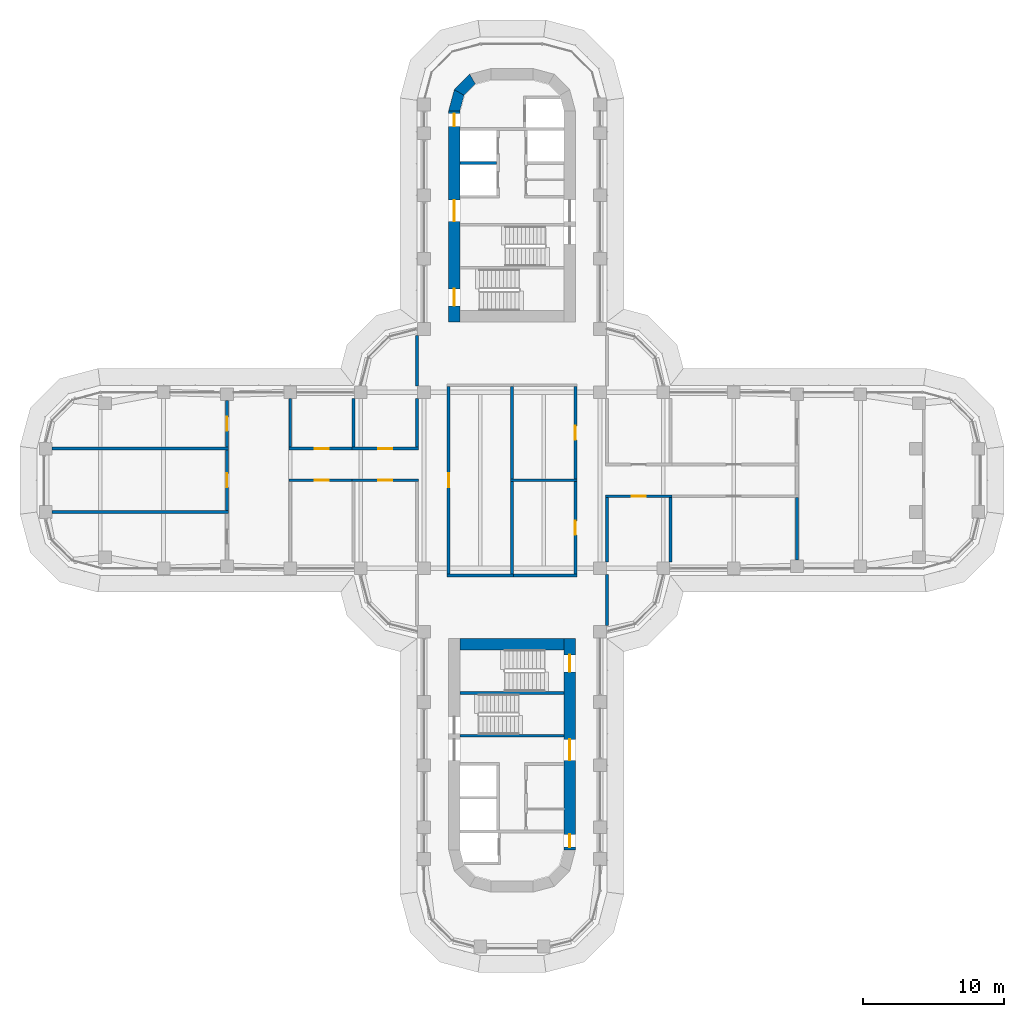
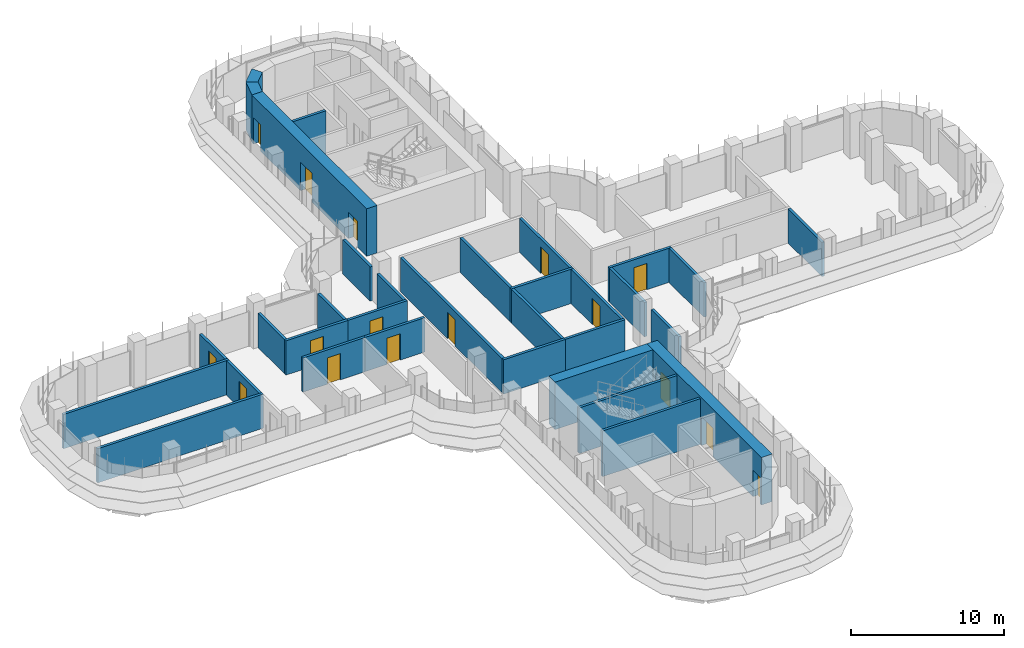
# One storey, part 16 of 22: 33 walls, 16 doors, 16 openings.
"""IFC4 building model written with IfcOpenShell, lengths in metres."""

from ifc_helpers import new_model, si_unit, direction, frame, frame_2d, origin, place, context, subcontext, project, spatial, polyline, rectangle, outline, extrude, material, layer, layer_set, type_object, element, fill, save


model = new_model("IFC4")

# Units and contexts
model_context = context("Model", 3, precision=1e-05, world=origin(), true_north=direction((0.0, 1.0)))
body_context = subcontext(model_context, "Body", "Model", "MODEL_VIEW")
ifc_project = project(units=[si_unit("LENGTHUNIT", "METRE"), si_unit("AREAUNIT", "SQUARE_METRE"), si_unit("VOLUMEUNIT", "CUBIC_METRE"), si_unit("PLANEANGLEUNIT", "RADIAN"), si_unit("MASSUNIT", "GRAM", prefix="KILO")], contexts=[model_context])

# Site, building, storey
site_placement = place(None, origin())
site = spatial("IfcSite", under=ifc_project, at=site_placement, CompositionType="ELEMENT")
building_placement = place(site_placement, origin())
building = spatial("IfcBuilding", under=site, at=building_placement, Name="Zarbagh Exchange Tower", CompositionType="ELEMENT")
storey_placement = place(building_placement, frame((0.0, 0.0, 98.0)))
storey = spatial("IfcBuildingStorey", under=building, at=storey_placement, Name="L22", CompositionType="ELEMENT", Elevation=98.0)

# Wall, opening, door
ifc_material_1 = material(Name="Fire-rated plasterboard partition")
ifc_layer_1 = layer(ifc_material_1, 0.199951171875)
ifc_layer_set_1 = layer_set([ifc_layer_1], Name="RATED PARTITION 200")
wall_type_1 = type_object("IfcWallType", Name="RATED PARTITION 200", PredefinedType="PARTITIONING", material=ifc_layer_set_1)
wall_1_placement = place(storey_placement, frame((-4.5, 6.64990234375, 0.0), z_axis=(0.0, 0.0, 1.0), x_axis=(0.0, -1.0, 0.0)))
wall_1 = element("IfcWall", 1, at=wall_1_placement, inside=storey, type_object=wall_type_1, Name="Partition W-801", PredefinedType="PARTITIONING", context=body_context, shape_type="SweptSolid", body=[
    extrude(rectangle(XDim=13.2998046875, YDim=0.199951171875, at=frame_2d((6.64990234375, 0.0))), origin(), (0.0, 0.0, 1.0), 2.738037109375),
])
opening_1_placement = place(wall_1_placement, frame((6.14990234375, 0.0, 0.0)))
opening_1 = element("IfcOpeningElement", 2, at=opening_1_placement, cuts=wall_1, Name="Opening D-803", PredefinedType="OPENING", context=body_context, shape_type="SweptSolid", body=[
    extrude(rectangle(XDim=1.0, YDim=2.10009765625, at=frame_2d((0.5, 1.050048828125))), frame((0.0, 0.10986328125, 0.0), z_axis=(0.0, -1.0, 0.0), x_axis=(1.0, 0.0, 0.0)), (0.0, 0.0, 1.0), 0.219970703125),
])
ifc_material_2 = material(Name="Steel door set", Category="steel")
door_type_1 = type_object("IfcDoorType", Name="FIRE DOOR 1000 X 2100 FD30S", OperationType="NOTDEFINED", PredefinedType="DOOR", material=ifc_material_2)
door_1_placement = place(opening_1_placement, origin())
door_1 = element("IfcDoor", 3, at=door_1_placement, inside=storey, type_object=door_type_1, Name="Door D-803", OperationType="SINGLE_SWING_RIGHT", OverallHeight=2.10009765625, OverallWidth=1.0, PredefinedType="DOOR", context=body_context, shape_type="SweptSolid", body=[
    extrude(rectangle(XDim=1.0, YDim=2.10009765625, at=frame_2d((0.5, 1.050048828125))), frame((0.0, 0.02490234375, 0.0), z_axis=(0.0, -1.0, 0.0), x_axis=(1.0, 0.0, 0.0)), (0.0, 0.0, 1.0), 0.050048828125),
])
fill(opening_1, door_1)

# Walls
wall_2_placement = place(storey_placement, frame((-6.75, 2.35009765625, 0.0), z_axis=(0.0, 0.0, 1.0), x_axis=(0.0, 1.0, 0.0)))
element("IfcWall", 4, at=wall_2_placement, inside=storey, type_object=wall_type_1, Name="Partition W-802", PredefinedType="PARTITIONING", context=body_context, shape_type="SweptSolid", body=[
    extrude(rectangle(XDim=3.449951171875, YDim=0.199951171875, at=frame_2d((1.72509765625, 0.0))), origin(), (0.0, 0.0, 1.0), 2.738037109375),
])
wall_3_placement = place(storey_placement, frame((-6.75, 6.699951171875, 0.0), z_axis=(0.0, 0.0, 1.0), x_axis=(0.0, 1.0, 0.0)))
element("IfcWall", 5, at=wall_3_placement, inside=storey, type_object=wall_type_1, Name="Partition W-803", PredefinedType="PARTITIONING", context=body_context, shape_type="SweptSolid", body=[
    extrude(rectangle(XDim=3.60009765625, YDim=0.199951171875, at=frame_2d((1.800048828125, 0.0))), origin(), (0.0, 0.0, 1.0), 2.738037109375),
])

# Wall, opening, door
wall_4_placement = place(storey_placement, frame((4.5, 0.10009765625, 0.0), z_axis=(0.0, 0.0, 1.0), x_axis=(0.0, 1.0, 0.0)))
wall_4 = element("IfcWall", 6, at=wall_4_placement, inside=storey, type_object=wall_type_1, Name="Partition W-806", PredefinedType="PARTITIONING", context=body_context, shape_type="SweptSolid", body=[
    extrude(rectangle(XDim=6.5498046875, YDim=0.199951171875, at=frame_2d((3.27490234375, 0.0))), origin(), (0.0, 0.0, 1.0), 2.738037109375),
])
opening_2_placement = place(wall_4_placement, frame((2.77490234375, 0.0, 0.0)))
opening_2 = element("IfcOpeningElement", 7, at=opening_2_placement, cuts=wall_4, Name="Opening D-801", PredefinedType="OPENING", context=body_context, shape_type="SweptSolid", body=[
    extrude(rectangle(XDim=1.0, YDim=2.10009765625, at=frame_2d((0.5, 1.050048828125))), frame((0.0, 0.10986328125, 0.0), z_axis=(0.0, -1.0, 0.0), x_axis=(1.0, 0.0, 0.0)), (0.0, 0.0, 1.0), 0.219970703125),
])
door_2_placement = place(opening_2_placement, origin())
door_2 = element("IfcDoor", 8, at=door_2_placement, inside=storey, type_object=door_type_1, Name="Door D-801", OperationType="SINGLE_SWING_LEFT", OverallHeight=2.10009765625, OverallWidth=1.0, PredefinedType="DOOR", context=body_context, shape_type="SweptSolid", body=[
    extrude(rectangle(XDim=1.0, YDim=2.10009765625, at=frame_2d((0.5, 1.050048828125))), frame((0.0, 0.02490234375, 0.0), z_axis=(0.0, -1.0, 0.0), x_axis=(1.0, 0.0, 0.0)), (0.0, 0.0, 1.0), 0.050048828125),
])
fill(opening_2, door_2)

wall_5_placement = place(storey_placement, frame((4.5, -6.64990234375, 0.0), z_axis=(0.0, 0.0, 1.0), x_axis=(0.0, 1.0, 0.0)))
wall_5 = element("IfcWall", 9, at=wall_5_placement, inside=storey, type_object=wall_type_1, Name="Partition W-807", PredefinedType="PARTITIONING", context=body_context, shape_type="SweptSolid", body=[
    extrude(rectangle(XDim=6.5498046875, YDim=0.199951171875, at=frame_2d((3.27490234375, 0.0))), origin(), (0.0, 0.0, 1.0), 2.738037109375),
])
opening_3_placement = place(wall_5_placement, frame((2.77490234375, 0.0, 0.0)))
opening_3 = element("IfcOpeningElement", 10, at=opening_3_placement, cuts=wall_5, Name="Opening D-802", PredefinedType="OPENING", context=body_context, shape_type="SweptSolid", body=[
    extrude(rectangle(XDim=1.0, YDim=2.10009765625, at=frame_2d((0.5, 1.050048828125))), frame((0.0, 0.10986328125, 0.0), z_axis=(0.0, -1.0, 0.0), x_axis=(1.0, 0.0, 0.0)), (0.0, 0.0, 1.0), 0.219970703125),
])
door_3_placement = place(opening_3_placement, origin())
door_3 = element("IfcDoor", 11, at=door_3_placement, inside=storey, type_object=door_type_1, Name="Door D-802", OperationType="SINGLE_SWING_RIGHT", OverallHeight=2.10009765625, OverallWidth=1.0, PredefinedType="DOOR", context=body_context, shape_type="SweptSolid", body=[
    extrude(rectangle(XDim=1.0, YDim=2.10009765625, at=frame_2d((0.5, 1.050048828125))), frame((0.0, 0.02490234375, 0.0), z_axis=(0.0, -1.0, 0.0), x_axis=(1.0, 0.0, 0.0)), (0.0, 0.0, 1.0), 0.050048828125),
])
fill(opening_3, door_3)

# Walls
wall_6_placement = place(storey_placement, frame((6.75, -10.300048828125, 0.0), z_axis=(0.0, 0.0, 1.0), x_axis=(0.0, 1.0, 0.0)))
element("IfcWall", 12, at=wall_6_placement, inside=storey, type_object=wall_type_1, Name="Partition W-810", PredefinedType="PARTITIONING", context=body_context, shape_type="SweptSolid", body=[
    extrude(rectangle(XDim=3.60009765625, YDim=0.199951171875, at=frame_2d((1.800048828125, 0.0))), origin(), (0.0, 0.0, 1.0), 2.738037109375),
])
wall_7_placement = place(storey_placement, frame((6.75, -5.800048828125, 0.0), z_axis=(0.0, 0.0, 1.0), x_axis=(0.0, 1.0, 0.0)))
element("IfcWall", 13, at=wall_7_placement, inside=storey, type_object=wall_type_1, Name="Partition W-811", PredefinedType="PARTITIONING", context=body_context, shape_type="SweptSolid", body=[
    extrude(rectangle(XDim=4.574951171875, YDim=0.199951171875, at=frame_2d((2.28759765625, 0.0))), origin(), (0.0, 0.0, 1.0), 2.738037109375),
])
for number, where, z_axis, x_axis, name in (
    (14, (-4.60009765625, -6.75, 0.0), (0.0, 0.0, 1.0), (1.0, 0.0, 0.0), "Partition W-814"),
    (15, (-0.10009765625, -6.75, 0.0), (0.0, 0.0, 1.0), (1.0, 0.0, 0.0), "Partition W-815"),
):
    element("IfcWall", number, at=place(storey_placement, frame(where, z_axis=z_axis, x_axis=x_axis)), inside=storey, type_object=wall_type_1, Name=name, PredefinedType="PARTITIONING", context=body_context, shape_type="SweptSolid", body=[
        extrude(rectangle(XDim=4.7001953125, YDim=0.199951171875, at=frame_2d((2.35009765625, 0.0))), origin(), (0.0, 0.0, 1.0), 2.738037109375),
    ])
for number, where, z_axis, x_axis, name in (
    (16, (0.0, 0.10009765625, 0.0), (0.0, 0.0, 1.0), (0.0, 1.0, 0.0), "Partition W-816"),
    (17, (0.0, -6.64990234375, 0.0), (0.0, 0.0, 1.0), (0.0, 1.0, 0.0), "Partition W-817"),
):
    element("IfcWall", number, at=place(storey_placement, frame(where, z_axis=z_axis, x_axis=x_axis)), inside=storey, type_object=wall_type_1, Name=name, PredefinedType="PARTITIONING", context=body_context, shape_type="SweptSolid", body=[
        extrude(rectangle(XDim=6.5498046875, YDim=0.199951171875, at=frame_2d((3.27490234375, 0.0))), origin(), (0.0, 0.0, 1.0), 2.738037109375),
    ])
wall_8_placement = place(storey_placement, frame((-0.10009765625, 0.0, 0.0), z_axis=(0.0, 0.0, 1.0), x_axis=(1.0, 0.0, 0.0)))
element("IfcWall", 18, at=wall_8_placement, inside=storey, type_object=wall_type_1, Name="Partition W-818", PredefinedType="PARTITIONING", context=body_context, shape_type="SweptSolid", body=[
    extrude(rectangle(XDim=4.7001953125, YDim=0.199951171875, at=frame_2d((2.35009765625, 0.0))), origin(), (0.0, 0.0, 1.0), 2.738037109375),
])

# Wall, opening, door
wall_9_placement = place(storey_placement, frame((11.35009765625, -1.125, 0.0), z_axis=(0.0, 0.0, 1.0), x_axis=(-1.0, 0.0, 0.0)))
wall_9 = element("IfcWall", 19, at=wall_9_placement, inside=storey, type_object=wall_type_1, Name="Partition W-820", PredefinedType="PARTITIONING", context=body_context, shape_type="SweptSolid", body=[
    extrude(rectangle(XDim=4.7001953125, YDim=0.199951171875, at=frame_2d((2.35009765625, 0.0))), origin(), (0.0, 0.0, 1.0), 2.738037109375),
])
opening_4_placement = place(wall_9_placement, frame((1.85009765625, 0.0, 0.0)))
opening_4 = element("IfcOpeningElement", 20, at=opening_4_placement, cuts=wall_9, Name="Opening D-808", PredefinedType="OPENING", context=body_context, shape_type="SweptSolid", body=[
    extrude(rectangle(XDim=1.0, YDim=2.10009765625, at=frame_2d((0.5, 1.050048828125))), frame((0.0, 0.10986328125, 0.0), z_axis=(0.0, -1.0, 0.0), x_axis=(1.0, 0.0, 0.0)), (0.0, 0.0, 1.0), 0.219970703125),
])
door_4_placement = place(opening_4_placement, origin())
door_4 = element("IfcDoor", 21, at=door_4_placement, inside=storey, type_object=door_type_1, Name="Door D-808", OperationType="SINGLE_SWING_RIGHT", OverallHeight=2.10009765625, OverallWidth=1.0, PredefinedType="DOOR", context=body_context, shape_type="SweptSolid", body=[
    extrude(rectangle(XDim=1.0, YDim=2.10009765625, at=frame_2d((0.5, 1.050048828125))), frame((0.0, 0.02490234375, 0.0), z_axis=(0.0, -1.0, 0.0), x_axis=(1.0, 0.0, 0.0)), (0.0, 0.0, 1.0), 0.050048828125),
])
fill(opening_4, door_4)

# Walls
wall_10_placement = place(storey_placement, frame((11.25, -5.800048828125, 0.0), z_axis=(0.0, 0.0, 1.0), x_axis=(0.0, 1.0, 0.0)))
element("IfcWall", 22, at=wall_10_placement, inside=storey, type_object=wall_type_1, Name="Partition W-825", PredefinedType="PARTITIONING", context=body_context, shape_type="SweptSolid", body=[
    extrude(rectangle(XDim=4.574951171875, YDim=0.199951171875, at=frame_2d((2.28759765625, 0.0))), origin(), (0.0, 0.0, 1.0), 2.738037109375),
])
wall_11_placement = place(storey_placement, frame((20.25, -5.659912109375, 0.0), z_axis=(0.0, 0.0, 1.0), x_axis=(0.0, 1.0, 0.0)))
element("IfcWall", 23, at=wall_11_placement, inside=storey, type_object=wall_type_1, Name="Partition W-827", PredefinedType="PARTITIONING", context=body_context, shape_type="SweptSolid", body=[
    extrude(rectangle(XDim=4.434814453125, YDim=0.199951171875, at=frame_2d((2.21728515625, 0.0))), origin(), (0.0, 0.0, 1.0), 2.738037109375),
])

# Wall, opening, door
wall_12_placement = place(storey_placement, frame((-11.35009765625, 2.25, 0.0), z_axis=(0.0, 0.0, 1.0), x_axis=(1.0, 0.0, 0.0)))
wall_12 = element("IfcWall", 24, at=wall_12_placement, inside=storey, type_object=wall_type_1, Name="Partition W-829", PredefinedType="PARTITIONING", context=body_context, shape_type="SweptSolid", body=[
    extrude(rectangle(XDim=4.7001953125, YDim=0.199951171875, at=frame_2d((2.35009765625, 0.0))), origin(), (0.0, 0.0, 1.0), 2.738037109375),
])
opening_5_placement = place(wall_12_placement, frame((1.85009765625, 0.0, 0.0)))
opening_5 = element("IfcOpeningElement", 25, at=opening_5_placement, cuts=wall_12, Name="Opening D-810", PredefinedType="OPENING", context=body_context, shape_type="SweptSolid", body=[
    extrude(rectangle(XDim=1.0, YDim=2.10009765625, at=frame_2d((0.5, 1.050048828125))), frame((0.0, 0.10986328125, 0.0), z_axis=(0.0, -1.0, 0.0), x_axis=(1.0, 0.0, 0.0)), (0.0, 0.0, 1.0), 0.219970703125),
])
door_5_placement = place(opening_5_placement, origin())
door_5 = element("IfcDoor", 26, at=door_5_placement, inside=storey, type_object=door_type_1, Name="Door D-810", OperationType="SINGLE_SWING_RIGHT", OverallHeight=2.10009765625, OverallWidth=1.0, PredefinedType="DOOR", context=body_context, shape_type="SweptSolid", body=[
    extrude(rectangle(XDim=1.0, YDim=2.10009765625, at=frame_2d((0.5, 1.050048828125))), frame((0.0, 0.02490234375, 0.0), z_axis=(0.0, -1.0, 0.0), x_axis=(1.0, 0.0, 0.0)), (0.0, 0.0, 1.0), 0.050048828125),
])
fill(opening_5, door_5)

wall_13_placement = place(storey_placement, frame((-6.64990234375, 0.0, 0.0), z_axis=(0.0, 0.0, 1.0), x_axis=(-1.0, 0.0, 0.0)))
wall_13 = element("IfcWall", 27, at=wall_13_placement, inside=storey, type_object=wall_type_1, Name="Partition W-830", PredefinedType="PARTITIONING", context=body_context, shape_type="SweptSolid", body=[
    extrude(rectangle(XDim=4.7001953125, YDim=0.199951171875, at=frame_2d((2.35009765625, 0.0))), origin(), (0.0, 0.0, 1.0), 2.738037109375),
])
opening_6_placement = place(wall_13_placement, frame((1.85009765625, 0.0, 0.0)))
opening_6 = element("IfcOpeningElement", 28, at=opening_6_placement, cuts=wall_13, Name="Opening D-812", PredefinedType="OPENING", context=body_context, shape_type="SweptSolid", body=[
    extrude(rectangle(XDim=1.0, YDim=2.10009765625, at=frame_2d((0.5, 1.050048828125))), frame((0.0, 0.10986328125, 0.0), z_axis=(0.0, -1.0, 0.0), x_axis=(1.0, 0.0, 0.0)), (0.0, 0.0, 1.0), 0.219970703125),
])
door_6_placement = place(opening_6_placement, origin())
door_6 = element("IfcDoor", 29, at=door_6_placement, inside=storey, type_object=door_type_1, Name="Door D-812", OperationType="SINGLE_SWING_RIGHT", OverallHeight=2.10009765625, OverallWidth=1.0, PredefinedType="DOOR", context=body_context, shape_type="SweptSolid", body=[
    extrude(rectangle(XDim=1.0, YDim=2.10009765625, at=frame_2d((0.5, 1.050048828125))), frame((0.0, 0.02490234375, 0.0), z_axis=(0.0, -1.0, 0.0), x_axis=(1.0, 0.0, 0.0)), (0.0, 0.0, 1.0), 0.050048828125),
])
fill(opening_6, door_6)

wall_14_placement = place(storey_placement, frame((-15.85009765625, 2.25, 0.0), z_axis=(0.0, 0.0, 1.0), x_axis=(1.0, 0.0, 0.0)))
wall_14 = element("IfcWall", 30, at=wall_14_placement, inside=storey, type_object=wall_type_1, Name="Partition W-831", PredefinedType="PARTITIONING", context=body_context, shape_type="SweptSolid", body=[
    extrude(rectangle(XDim=4.7001953125, YDim=0.199951171875, at=frame_2d((2.35009765625, 0.0))), origin(), (0.0, 0.0, 1.0), 2.738037109375),
])
opening_7_placement = place(wall_14_placement, frame((1.85009765625, 0.0, 0.0)))
opening_7 = element("IfcOpeningElement", 31, at=opening_7_placement, cuts=wall_14, Name="Opening D-811", PredefinedType="OPENING", context=body_context, shape_type="SweptSolid", body=[
    extrude(rectangle(XDim=1.0, YDim=2.10009765625, at=frame_2d((0.5, 1.050048828125))), frame((0.0, 0.10986328125, 0.0), z_axis=(0.0, -1.0, 0.0), x_axis=(1.0, 0.0, 0.0)), (0.0, 0.0, 1.0), 0.219970703125),
])
door_7_placement = place(opening_7_placement, origin())
door_7 = element("IfcDoor", 32, at=door_7_placement, inside=storey, type_object=door_type_1, Name="Door D-811", OperationType="SINGLE_SWING_RIGHT", OverallHeight=2.10009765625, OverallWidth=1.0, PredefinedType="DOOR", context=body_context, shape_type="SweptSolid", body=[
    extrude(rectangle(XDim=1.0, YDim=2.10009765625, at=frame_2d((0.5, 1.050048828125))), frame((0.0, 0.02490234375, 0.0), z_axis=(0.0, -1.0, 0.0), x_axis=(1.0, 0.0, 0.0)), (0.0, 0.0, 1.0), 0.050048828125),
])
fill(opening_7, door_7)

wall_15_placement = place(storey_placement, frame((-11.14990234375, 0.0, 0.0), z_axis=(0.0, 0.0, 1.0), x_axis=(-1.0, 0.0, 0.0)))
wall_15 = element("IfcWall", 33, at=wall_15_placement, inside=storey, type_object=wall_type_1, Name="Partition W-832", PredefinedType="PARTITIONING", context=body_context, shape_type="SweptSolid", body=[
    extrude(rectangle(XDim=4.7001953125, YDim=0.199951171875, at=frame_2d((2.35009765625, 0.0))), origin(), (0.0, 0.0, 1.0), 2.738037109375),
])
opening_8_placement = place(wall_15_placement, frame((1.85009765625, 0.0, 0.0)))
opening_8 = element("IfcOpeningElement", 34, at=opening_8_placement, cuts=wall_15, Name="Opening D-813", PredefinedType="OPENING", context=body_context, shape_type="SweptSolid", body=[
    extrude(rectangle(XDim=1.0, YDim=2.10009765625, at=frame_2d((0.5, 1.050048828125))), frame((0.0, 0.10986328125, 0.0), z_axis=(0.0, -1.0, 0.0), x_axis=(1.0, 0.0, 0.0)), (0.0, 0.0, 1.0), 0.219970703125),
])
door_8_placement = place(opening_8_placement, origin())
door_8 = element("IfcDoor", 35, at=door_8_placement, inside=storey, type_object=door_type_1, Name="Door D-813", OperationType="SINGLE_SWING_RIGHT", OverallHeight=2.10009765625, OverallWidth=1.0, PredefinedType="DOOR", context=body_context, shape_type="SweptSolid", body=[
    extrude(rectangle(XDim=1.0, YDim=2.10009765625, at=frame_2d((0.5, 1.050048828125))), frame((0.0, 0.02490234375, 0.0), z_axis=(0.0, -1.0, 0.0), x_axis=(1.0, 0.0, 0.0)), (0.0, 0.0, 1.0), 0.050048828125),
])
fill(opening_8, door_8)

# Walls
for number, where, z_axis, x_axis, name in (
    (36, (-11.25, 2.35009765625, 0.0), (0.0, 0.0, 1.0), (0.0, 1.0, 0.0), "Partition W-833"),
    (37, (-15.75, 2.35009765625, 0.0), (0.0, 0.0, 1.0), (0.0, 1.0, 0.0), "Partition W-835"),
):
    element("IfcWall", number, at=place(storey_placement, frame(where, z_axis=z_axis, x_axis=x_axis)), inside=storey, type_object=wall_type_1, Name=name, PredefinedType="PARTITIONING", context=body_context, shape_type="SweptSolid", body=[
        extrude(rectangle(XDim=3.449951171875, YDim=0.199951171875, at=frame_2d((1.72509765625, 0.0))), origin(), (0.0, 0.0, 1.0), 2.738037109375),
    ])

# Wall, opening, door
wall_16_placement = place(storey_placement, frame((-20.25, -2.14990234375, 0.0), z_axis=(0.0, 0.0, 1.0), x_axis=(0.0, 1.0, 0.0)))
wall_16 = element("IfcWall", 38, at=wall_16_placement, inside=storey, type_object=wall_type_1, Name="Partition W-838", PredefinedType="PARTITIONING", context=body_context, shape_type="SweptSolid", body=[
    extrude(rectangle(XDim=4.2998046875, YDim=0.199951171875, at=frame_2d((2.14990234375, 0.0))), origin(), (0.0, 0.0, 1.0), 2.738037109375),
])
opening_9_placement = place(wall_16_placement, frame((1.64990234375, 0.0, 0.0)))
opening_9 = element("IfcOpeningElement", 39, at=opening_9_placement, cuts=wall_16, Name="Opening D-815", PredefinedType="OPENING", context=body_context, shape_type="SweptSolid", body=[
    extrude(rectangle(XDim=1.0, YDim=2.10009765625, at=frame_2d((0.5, 1.050048828125))), frame((0.0, 0.10986328125, 0.0), z_axis=(0.0, -1.0, 0.0), x_axis=(1.0, 0.0, 0.0)), (0.0, 0.0, 1.0), 0.219970703125),
])
door_9_placement = place(opening_9_placement, origin())
door_9 = element("IfcDoor", 40, at=door_9_placement, inside=storey, type_object=door_type_1, Name="Door D-815", OperationType="SINGLE_SWING_RIGHT", OverallHeight=2.10009765625, OverallWidth=1.0, PredefinedType="DOOR", context=body_context, shape_type="SweptSolid", body=[
    extrude(rectangle(XDim=1.0, YDim=2.10009765625, at=frame_2d((0.5, 1.050048828125))), frame((0.0, 0.02490234375, 0.0), z_axis=(0.0, -1.0, 0.0), x_axis=(1.0, 0.0, 0.0)), (0.0, 0.0, 1.0), 0.050048828125),
])
fill(opening_9, door_9)

wall_17_placement = place(storey_placement, frame((-20.25, 2.35009765625, 0.0), z_axis=(0.0, 0.0, 1.0), x_axis=(0.0, 1.0, 0.0)))
wall_17 = element("IfcWall", 41, at=wall_17_placement, inside=storey, type_object=wall_type_1, Name="Partition W-839", PredefinedType="PARTITIONING", context=body_context, shape_type="SweptSolid", body=[
    extrude(rectangle(XDim=3.309814453125, YDim=0.199951171875, at=frame_2d((1.65478515625, 0.0))), origin(), (0.0, 0.0, 1.0), 2.738037109375),
])
opening_10_placement = place(wall_17_placement, frame((1.155029296875, 0.0, 0.0)))
opening_10 = element("IfcOpeningElement", 42, at=opening_10_placement, cuts=wall_17, Name="Opening D-816", PredefinedType="OPENING", context=body_context, shape_type="SweptSolid", body=[
    extrude(rectangle(XDim=1.0, YDim=2.10009765625, at=frame_2d((0.5, 1.050048828125))), frame((0.0, 0.10986328125, 0.0), z_axis=(0.0, -1.0, 0.0), x_axis=(1.0, 0.0, 0.0)), (0.0, 0.0, 1.0), 0.219970703125),
])
door_10_placement = place(opening_10_placement, origin())
door_10 = element("IfcDoor", 43, at=door_10_placement, inside=storey, type_object=door_type_1, Name="Door D-816", OperationType="SINGLE_SWING_LEFT", OverallHeight=2.10009765625, OverallWidth=1.0, PredefinedType="DOOR", context=body_context, shape_type="SweptSolid", body=[
    extrude(rectangle(XDim=1.0, YDim=2.10009765625, at=frame_2d((0.5, 1.050048828125))), frame((0.0, 0.02490234375, 0.0), z_axis=(0.0, -1.0, 0.0), x_axis=(1.0, 0.0, 0.0)), (0.0, 0.0, 1.0), 0.050048828125),
])
fill(opening_10, door_10)

# Walls
for number, where, z_axis, x_axis, name in (
    (44, (-32.659912109375, -2.25, 0.0), (0.0, 0.0, 1.0), (1.0, 0.0, 0.0), "Partition W-840"),
    (45, (-32.659912109375, 2.25, 0.0), (0.0, 0.0, 1.0), (1.0, 0.0, 0.0), "Partition W-841"),
):
    element("IfcWall", number, at=place(storey_placement, frame(where, z_axis=z_axis, x_axis=x_axis)), inside=storey, type_object=wall_type_1, Name=name, PredefinedType="PARTITIONING", context=body_context, shape_type="SweptSolid", body=[
        extrude(rectangle(XDim=12.510009765625, YDim=0.199951171875, at=frame_2d((6.2548828125, 0.0))), origin(), (0.0, 0.0, 1.0), 2.738037109375),
    ])
ifc_material_3 = material(Name="Concrete C60/75", Category="concrete")
ifc_layer_2 = layer(ifc_material_3, 0.800048828125)
ifc_layer_set_2 = layer_set([ifc_layer_2], Name="RC core corner wall 800 C60/75")
wall_type_2 = type_object("IfcWallType", Name="RC core corner wall 800 C60/75", PredefinedType="SHEAR", material=ifc_layer_set_2)
wall_18_placement = place(storey_placement, origin())
element("IfcWall", 46, at=wall_18_placement, inside=storey, type_object=wall_type_2, Name="CW4 core N corner W", PredefinedType="SHEAR", context=body_context, shape_type="SweptSolid", body=[
    extrude(outline(polyline([(-4.5, 26.25), (-4.09814453125, 27.75), (-3.4052734375, 27.35009765625), (-3.699951171875, 26.25), (-4.5, 26.25)])), origin(), (0.0, 0.0, 1.0), 3.800048828125),
])
wall_19_placement = place(storey_placement, origin())
element("IfcWall", 47, at=wall_19_placement, inside=storey, type_object=wall_type_2, Name="CW4 core N corner W", PredefinedType="SHEAR", context=body_context, shape_type="SweptSolid", body=[
    extrude(outline(polyline([(-4.09814453125, 27.75), (-3.0, 28.84814453125), (-2.60009765625, 28.1552734375), (-3.4052734375, 27.35009765625), (-4.09814453125, 27.75)])), origin(), (0.0, 0.0, 1.0), 3.800048828125),
])

# Wall, openings, doors
ifc_layer_3 = layer(ifc_material_3, 0.800048828125)
ifc_layer_set_3 = layer_set([ifc_layer_3], Name="RC core wall 800 C60/75")
wall_type_3 = type_object("IfcWallType", Name="RC core wall 800 C60/75", PredefinedType="SHEAR", material=ifc_layer_set_3)
wall_20_placement = place(storey_placement, frame((-4.10009765625, 11.25, 0.0), z_axis=(0.0, 0.0, 1.0), x_axis=(0.0, 1.0, 0.0)))
wall_20 = element("IfcWall", 48, at=wall_20_placement, inside=storey, type_object=wall_type_3, Name="CW3 core N W", PredefinedType="SHEAR", context=body_context, shape_type="SweptSolid", body=[
    extrude(rectangle(XDim=15.0, YDim=0.800048828125, at=frame_2d((7.5, 0.0))), origin(), (0.0, 0.0, 1.0), 3.800048828125),
])
opening_11_placement = place(wall_20_placement, frame((7.14990234375, 0.0, 0.0)))
opening_11 = element("IfcOpeningElement", 49, at=opening_11_placement, cuts=wall_20, Name="Opening CD1-1500", PredefinedType="OPENING", context=body_context, shape_type="SweptSolid", body=[
    extrude(rectangle(XDim=1.5, YDim=2.300048828125, at=frame_2d((0.75, 1.14990234375))), frame((0.0, 0.409912109375, 0.0), z_axis=(0.0, -1.0, 0.0), x_axis=(1.0, 0.0, 0.0)), (0.0, 0.0, 1.0), 0.820068359375),
])
opening_12_placement = place(wall_20_placement, frame((13.89990234375, 0.0, 0.0)))
opening_12 = element("IfcOpeningElement", 50, at=opening_12_placement, cuts=wall_20, Name="Opening CD2-900", PredefinedType="OPENING", context=body_context, shape_type="SweptSolid", body=[
    extrude(rectangle(XDim=0.89990234375, YDim=2.10009765625, at=frame_2d((0.449951171875, 1.050048828125))), frame((0.0, 0.409912109375, 0.0), z_axis=(0.0, -1.0, 0.0), x_axis=(1.0, 0.0, 0.0)), (0.0, 0.0, 1.0), 0.820068359375),
])
opening_13_placement = place(wall_20_placement, frame((1.14990234375, 0.0, 0.0)))
opening_13 = element("IfcOpeningElement", 51, at=opening_13_placement, cuts=wall_20, Name="Opening SD1-1200", PredefinedType="OPENING", context=body_context, shape_type="SweptSolid", body=[
    extrude(rectangle(XDim=1.199951171875, YDim=2.10009765625, at=frame_2d((0.60009765625, 1.050048828125))), frame((0.0, 0.409912109375, 0.0), z_axis=(0.0, -1.0, 0.0), x_axis=(1.0, 0.0, 0.0)), (0.0, 0.0, 1.0), 0.820068359375),
])
ifc_material_4 = material(Name="Steel", Category="steel")
door_type_2 = type_object("IfcDoorType", Name="Exit stair door 1200 x 2100", OperationType="NOTDEFINED", PredefinedType="DOOR", material=ifc_material_4)
door_11_placement = place(opening_13_placement, origin())
door_11 = element("IfcDoor", 52, at=door_11_placement, inside=storey, type_object=door_type_2, Name="North core stair door ST2", OperationType="SINGLE_SWING_LEFT", OverallHeight=2.10009765625, OverallWidth=1.199951171875, PredefinedType="DOOR", context=body_context, shape_type="SweptSolid", body=[
    extrude(rectangle(XDim=1.199951171875, YDim=2.10009765625, at=frame_2d((0.60009765625, 1.050048828125))), frame((0.0, 0.02490234375, 0.0), z_axis=(0.0, -1.0, 0.0), x_axis=(1.0, 0.0, 0.0)), (0.0, 0.0, 1.0), 0.050048828125),
])
fill(opening_13, door_11)
door_type_3 = type_object("IfcDoorType", Name="Firefighting lobby door 900 x 2100", OperationType="NOTDEFINED", PredefinedType="DOOR", material=ifc_material_4)
door_12_placement = place(opening_12_placement, origin())
door_12 = element("IfcDoor", 53, at=door_12_placement, inside=storey, type_object=door_type_3, Name="North core firefighting lobby door FF-W", OperationType="SINGLE_SWING_LEFT", OverallHeight=2.10009765625, OverallWidth=0.89990234375, PredefinedType="DOOR", context=body_context, shape_type="SweptSolid", body=[
    extrude(rectangle(XDim=0.89990234375, YDim=2.10009765625, at=frame_2d((0.449951171875, 1.050048828125))), frame((0.0, 0.02490234375, 0.0), z_axis=(0.0, -1.0, 0.0), x_axis=(1.0, 0.0, 0.0)), (0.0, 0.0, 1.0), 0.050048828125),
])
fill(opening_12, door_12)
door_type_4 = type_object("IfcDoorType", Name="Lift lobby double door 1500 x 2300", OperationType="NOTDEFINED", PredefinedType="DOOR", material=ifc_material_4)
door_13_placement = place(opening_11_placement, origin())
door_13 = element("IfcDoor", 54, at=door_13_placement, inside=storey, type_object=door_type_4, Name="North core lift lobby door LOBBY-W", OperationType="DOUBLE_DOOR_SINGLE_SWING", OverallHeight=2.300048828125, OverallWidth=1.5, PredefinedType="DOOR", context=body_context, shape_type="SweptSolid", body=[
    extrude(rectangle(XDim=1.5, YDim=2.300048828125, at=frame_2d((0.75, 1.14990234375))), frame((0.0, 0.02490234375, 0.0), z_axis=(0.0, -1.0, 0.0), x_axis=(1.0, 0.0, 0.0)), (0.0, 0.0, 1.0), 0.050048828125),
])
fill(opening_11, door_13)

wall_21_placement = place(storey_placement, frame((4.10009765625, -11.25, 0.0), z_axis=(0.0, 0.0, 1.0), x_axis=(0.0, -1.0, 0.0)))
wall_21 = element("IfcWall", 55, at=wall_21_placement, inside=storey, type_object=wall_type_3, Name="CW3 core S E", PredefinedType="SHEAR", context=body_context, shape_type="SweptSolid", body=[
    extrude(rectangle(XDim=15.0, YDim=0.800048828125, at=frame_2d((7.5, 0.0))), origin(), (0.0, 0.0, 1.0), 3.800048828125),
])
opening_14_placement = place(wall_21_placement, frame((7.14990234375, 0.0, 0.0)))
opening_14 = element("IfcOpeningElement", 56, at=opening_14_placement, cuts=wall_21, Name="Opening CD1-1500", PredefinedType="OPENING", context=body_context, shape_type="SweptSolid", body=[
    extrude(rectangle(XDim=1.5, YDim=2.300048828125, at=frame_2d((0.75, 1.14990234375))), frame((0.0, 0.409912109375, 0.0), z_axis=(0.0, -1.0, 0.0), x_axis=(1.0, 0.0, 0.0)), (0.0, 0.0, 1.0), 0.820068359375),
])
opening_15_placement = place(wall_21_placement, frame((13.89990234375, 0.0, 0.0)))
opening_15 = element("IfcOpeningElement", 57, at=opening_15_placement, cuts=wall_21, Name="Opening CD2-900", PredefinedType="OPENING", context=body_context, shape_type="SweptSolid", body=[
    extrude(rectangle(XDim=0.89990234375, YDim=2.10009765625, at=frame_2d((0.449951171875, 1.050048828125))), frame((0.0, 0.409912109375, 0.0), z_axis=(0.0, -1.0, 0.0), x_axis=(1.0, 0.0, 0.0)), (0.0, 0.0, 1.0), 0.820068359375),
])
opening_16_placement = place(wall_21_placement, frame((1.14990234375, 0.0, 0.0)))
opening_16 = element("IfcOpeningElement", 58, at=opening_16_placement, cuts=wall_21, Name="Opening SD1-1200", PredefinedType="OPENING", context=body_context, shape_type="SweptSolid", body=[
    extrude(rectangle(XDim=1.199951171875, YDim=2.10009765625, at=frame_2d((0.60009765625, 1.050048828125))), frame((0.0, 0.409912109375, 0.0), z_axis=(0.0, -1.0, 0.0), x_axis=(1.0, 0.0, 0.0)), (0.0, 0.0, 1.0), 0.820068359375),
])
door_14_placement = place(opening_16_placement, origin())
door_14 = element("IfcDoor", 59, at=door_14_placement, inside=storey, type_object=door_type_2, Name="South core stair door ST2", OperationType="SINGLE_SWING_RIGHT", OverallHeight=2.10009765625, OverallWidth=1.199951171875, PredefinedType="DOOR", context=body_context, shape_type="SweptSolid", body=[
    extrude(rectangle(XDim=1.199951171875, YDim=2.10009765625, at=frame_2d((0.60009765625, 1.050048828125))), frame((0.0, 0.02490234375, 0.0), z_axis=(0.0, -1.0, 0.0), x_axis=(1.0, 0.0, 0.0)), (0.0, 0.0, 1.0), 0.050048828125),
])
fill(opening_16, door_14)
door_15_placement = place(opening_15_placement, origin())
door_15 = element("IfcDoor", 60, at=door_15_placement, inside=storey, type_object=door_type_3, Name="South core firefighting lobby door FF-W", OperationType="SINGLE_SWING_RIGHT", OverallHeight=2.10009765625, OverallWidth=0.89990234375, PredefinedType="DOOR", context=body_context, shape_type="SweptSolid", body=[
    extrude(rectangle(XDim=0.89990234375, YDim=2.10009765625, at=frame_2d((0.449951171875, 1.050048828125))), frame((0.0, 0.02490234375, 0.0), z_axis=(0.0, -1.0, 0.0), x_axis=(1.0, 0.0, 0.0)), (0.0, 0.0, 1.0), 0.050048828125),
])
fill(opening_15, door_15)
door_16_placement = place(opening_14_placement, origin())
door_16 = element("IfcDoor", 61, at=door_16_placement, inside=storey, type_object=door_type_4, Name="South core lift lobby door LOBBY-W", OperationType="DOUBLE_DOOR_SINGLE_SWING", OverallHeight=2.300048828125, OverallWidth=1.5, PredefinedType="DOOR", context=body_context, shape_type="SweptSolid", body=[
    extrude(rectangle(XDim=1.5, YDim=2.300048828125, at=frame_2d((0.75, 1.14990234375))), frame((0.0, 0.02490234375, 0.0), z_axis=(0.0, -1.0, 0.0), x_axis=(1.0, 0.0, 0.0)), (0.0, 0.0, 1.0), 0.050048828125),
])
fill(opening_14, door_16)

# Walls
wall_22_placement = place(storey_placement, frame((-3.699951171875, -11.64990234375, 0.0), z_axis=(0.0, 0.0, 1.0), x_axis=(1.0, 0.0, 0.0)))
element("IfcWall", 62, at=wall_22_placement, inside=storey, type_object=wall_type_3, Name="CW3 core S inner end", PredefinedType="SHEAR", context=body_context, shape_type="SweptSolid", body=[
    extrude(rectangle(XDim=7.39990234375, YDim=0.800048828125, at=frame_2d((3.699951171875, 0.0))), origin(), (0.0, 0.0, 1.0), 3.800048828125),
])
ifc_material_5 = material(Name="Dense blockwork", Category="masonry")
ifc_layer_4 = layer(ifc_material_5, 0.199951171875)
ifc_layer_set_4 = layer_set([ifc_layer_4], Name="Shaft wall 200 mm blockwork")
wall_type_4 = type_object("IfcWallType", Name="Shaft wall 200 mm blockwork", PredefinedType="PARTITIONING", material=ifc_layer_set_4)
wall_23_placement = place(storey_placement, frame((-3.699951171875, 22.550048828125, 0.0), z_axis=(0.0, 0.0, 1.0), x_axis=(1.0, 0.0, 0.0)))
element("IfcWall", 63, at=wall_23_placement, inside=storey, type_object=wall_type_4, Name="North core shaft wall TR-W", PredefinedType="PARTITIONING", context=body_context, shape_type="SweptSolid", body=[
    extrude(rectangle(XDim=2.599853515625, YDim=0.199951171875, at=frame_2d((1.2998046875, 0.0))), origin(), (0.0, 0.0, 1.0), 3.64990234375),
])
ifc_material_6 = material(Name="Concrete C40/50", Category="concrete")
ifc_layer_5 = layer(ifc_material_6, 0.199951171875)
ifc_layer_set_5 = layer_set([ifc_layer_5], Name="Stair enclosure wall 200 mm RC C40/50")
wall_type_5 = type_object("IfcWallType", Name="Stair enclosure wall 200 mm RC C40/50", PredefinedType="SHEAR", material=ifc_layer_set_5)
for number, where, z_axis, x_axis, name in (
    (64, (3.699951171875, -18.14990234375, 0.0), (0.0, 0.0, 1.0), (-1.0, 0.0, 0.0), "South core stair wall BS"),
    (65, (3.699951171875, -15.10009765625, 0.0), (0.0, 0.0, 1.0), (-1.0, 0.0, 0.0), "South core stair wall ST12"),
):
    element("IfcWall", number, at=place(storey_placement, frame(where, z_axis=z_axis, x_axis=x_axis)), inside=storey, type_object=wall_type_5, Name=name, PredefinedType="SHEAR", context=body_context, shape_type="SweptSolid", body=[
        extrude(rectangle(XDim=7.39990234375, YDim=0.199951171875, at=frame_2d((3.699951171875, 0.0))), origin(), (0.0, 0.0, 1.0), 3.64990234375),
    ])

save(model, "model.ifc")
